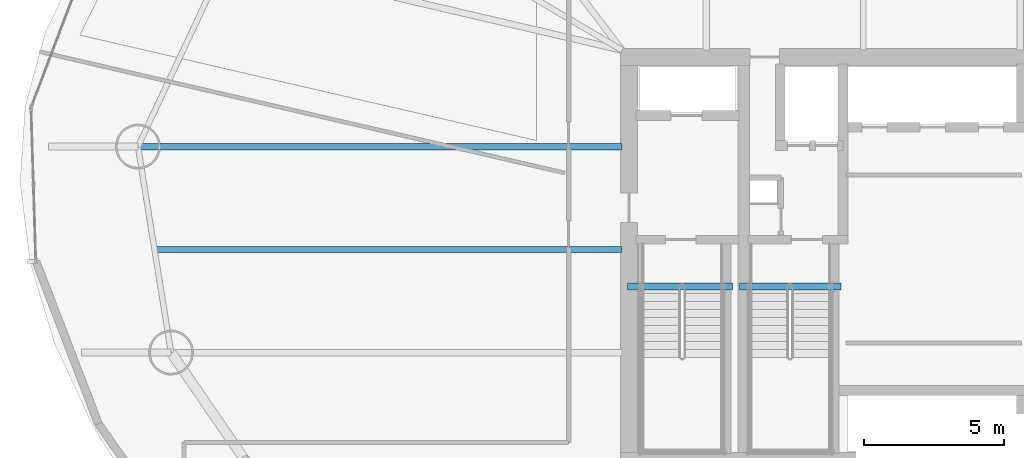
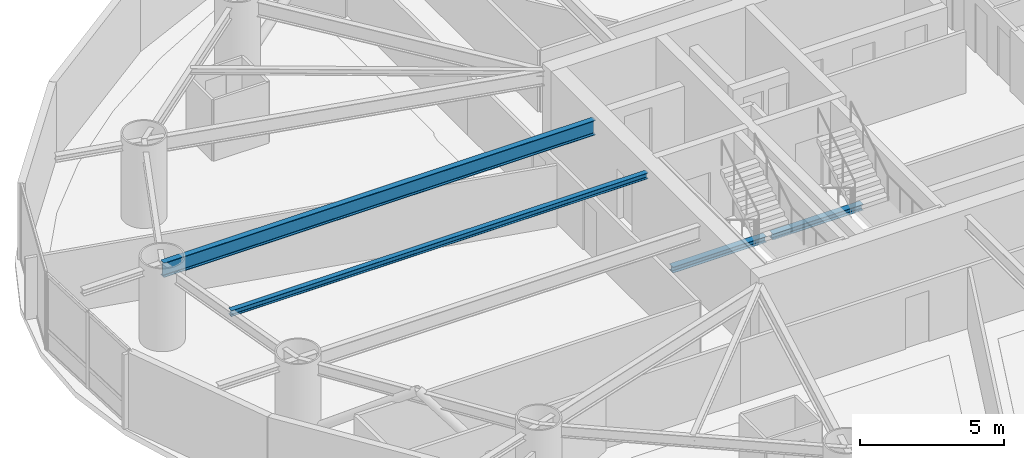
# One storey, part 7 of 27: 4 beams.
"""IFC4 building model written with IfcOpenShell, lengths in metres."""

from ifc_helpers import new_model, si_unit, direction, frame, origin, origin_2d, place, context, subcontext, project, spatial, i_section, extrude, material, material_profile, profile_set, type_object, element, save


model = new_model("IFC4")

# Units and contexts
model_context = context("Model", 3, precision=1e-05, world=origin(), true_north=direction((0.0, 1.0)))
body_context = subcontext(model_context, "Body", "Model", "MODEL_VIEW")
ifc_project = project(units=[si_unit("LENGTHUNIT", "METRE"), si_unit("AREAUNIT", "SQUARE_METRE"), si_unit("VOLUMEUNIT", "CUBIC_METRE"), si_unit("PLANEANGLEUNIT", "RADIAN"), si_unit("MASSUNIT", "GRAM", prefix="KILO")], contexts=[model_context])

# Site, building, storey
site_placement = place(None, origin())
site = spatial("IfcSite", under=ifc_project, at=site_placement, CompositionType="ELEMENT")
building_placement = place(site_placement, origin())
building = spatial("IfcBuilding", under=site, at=building_placement, Name="Bramvorn Convention Spire", CompositionType="ELEMENT")
storey_placement = place(building_placement, frame((0.0, 0.0, 72.89990234375)))
storey = spatial("IfcBuildingStorey", under=building, at=storey_placement, Name="L16", CompositionType="ELEMENT", Elevation=72.89990234375)

# Beams
ifc_material = material(Name="Steel CSA G40.21 Grade 350 (350W)", Category="steel")
ifc_material_profile_1 = material_profile(ifc_material, i_section(OverallWidth=0.201904296875, OverallDepth=0.2470703125, WebThickness=0.00732421875, FlangeThickness=0.010986328125, FilletRadius=0.011962890625, at=origin_2d()))
ifc_profile_set_1 = profile_set([ifc_material_profile_1], Name="Steel CSA G40.21 Grade 350 (350W) - W250X49")
beam_type_1 = type_object("IfcBeamType", Name="BM-W250X49", PredefinedType="JOIST", material=ifc_profile_set_1)
beam_1_placement = place(storey_placement, frame((26.75, 26.333984375, 3.126708984375), z_axis=(-1.0, 0.0, 0.0), x_axis=(0.0, -1.0, 0.0)))
element("IfcBeam", 1, at=beam_1_placement, inside=storey, type_object=beam_type_1, Name="L16 composite floor joist 09", PredefinedType="JOIST", context=body_context, shape_type="SweptSolid", body=[
    extrude(i_section(OverallWidth=0.201904296875, OverallDepth=0.2470703125, WebThickness=0.00732421875, FlangeThickness=0.010986328125, FilletRadius=0.011962890625, at=origin_2d()), origin(), (0.0, 0.0, 1.0), 16.67919921875),
])
ifc_material_profile_2 = material_profile(ifc_material, i_section(OverallWidth=0.25390625, OverallDepth=0.2529296875, WebThickness=0.008544921875, FlangeThickness=0.01416015625, FilletRadius=0.011962890625, at=origin_2d()))
ifc_profile_set_2 = profile_set([ifc_material_profile_2], Name="Steel CSA G40.21 Grade 350 (350W) - W250X73")
beam_type_2 = type_object("IfcBeamType", Name="BM-W250X73", PredefinedType="BEAM", material=ifc_profile_set_2)
beam_2_placement = place(storey_placement, frame((26.949951171875, 25.010009765625, -0.12646484375), z_axis=(1.0, 0.0, 0.0), x_axis=(0.0, 1.0, 0.0)))
element("IfcBeam", 2, at=beam_2_placement, inside=storey, type_object=beam_type_2, Name="L16 ST1 stair arrival header beam", PredefinedType="BEAM", context=body_context, shape_type="SweptSolid", body=[
    extrude(i_section(OverallWidth=0.25390625, OverallDepth=0.2529296875, WebThickness=0.008544921875, FlangeThickness=0.01416015625, FilletRadius=0.011962890625, at=origin_2d()), origin(), (0.0, 0.0, 1.0), 3.739990234375),
])
beam_3_placement = place(storey_placement, frame((30.949951171875, 25.010009765625, -0.12646484375), z_axis=(1.0, 0.0, 0.0), x_axis=(0.0, 1.0, 0.0)))
element("IfcBeam", 3, at=beam_3_placement, inside=storey, type_object=beam_type_2, Name="L16 ST3 stair arrival header beam", PredefinedType="BEAM", context=body_context, shape_type="SweptSolid", body=[
    extrude(i_section(OverallWidth=0.25390625, OverallDepth=0.2529296875, WebThickness=0.008544921875, FlangeThickness=0.01416015625, FilletRadius=0.011962890625, at=origin_2d()), origin(), (0.0, 0.0, 1.0), 3.610107421875),
])
ifc_material_profile_3 = material_profile(ifc_material, i_section(OverallWidth=0.22998046875, OverallDepth=0.616943359375, WebThickness=0.01318359375, FlangeThickness=0.022216796875, FilletRadius=0.02001953125, at=origin_2d()))
ifc_profile_set_3 = profile_set([ifc_material_profile_3], Name="Steel CSA G40.21 Grade 350 (350W) - W610X140")
beam_type_3 = type_object("IfcBeamType", Name="BM-W610X140", PredefinedType="BEAM", material=ifc_profile_set_3)
beam_4_placement = place(storey_placement, frame((26.75, 30.00830078125, 2.941650390625), z_axis=(-1.0, 0.0, 0.0), x_axis=(0.0, -1.0, 0.0)))
element("IfcBeam", 4, at=beam_4_placement, inside=storey, type_object=beam_type_3, Name="L16 radial floor girder MC09", PredefinedType="BEAM", context=body_context, shape_type="SweptSolid", body=[
    extrude(i_section(OverallWidth=0.22998046875, OverallDepth=0.616943359375, WebThickness=0.01318359375, FlangeThickness=0.022216796875, FilletRadius=0.02001953125, at=origin_2d()), origin(), (0.0, 0.0, 1.0), 17.269775390625),
])

save(model, "model.ifc")
